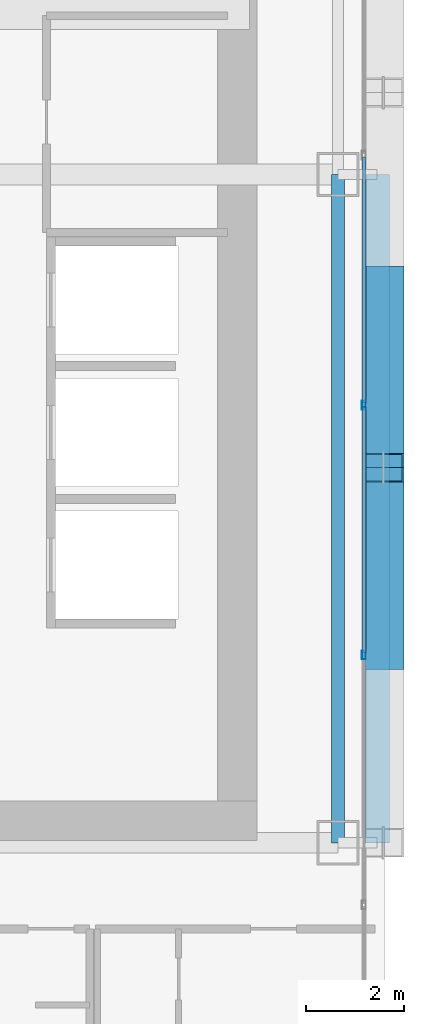
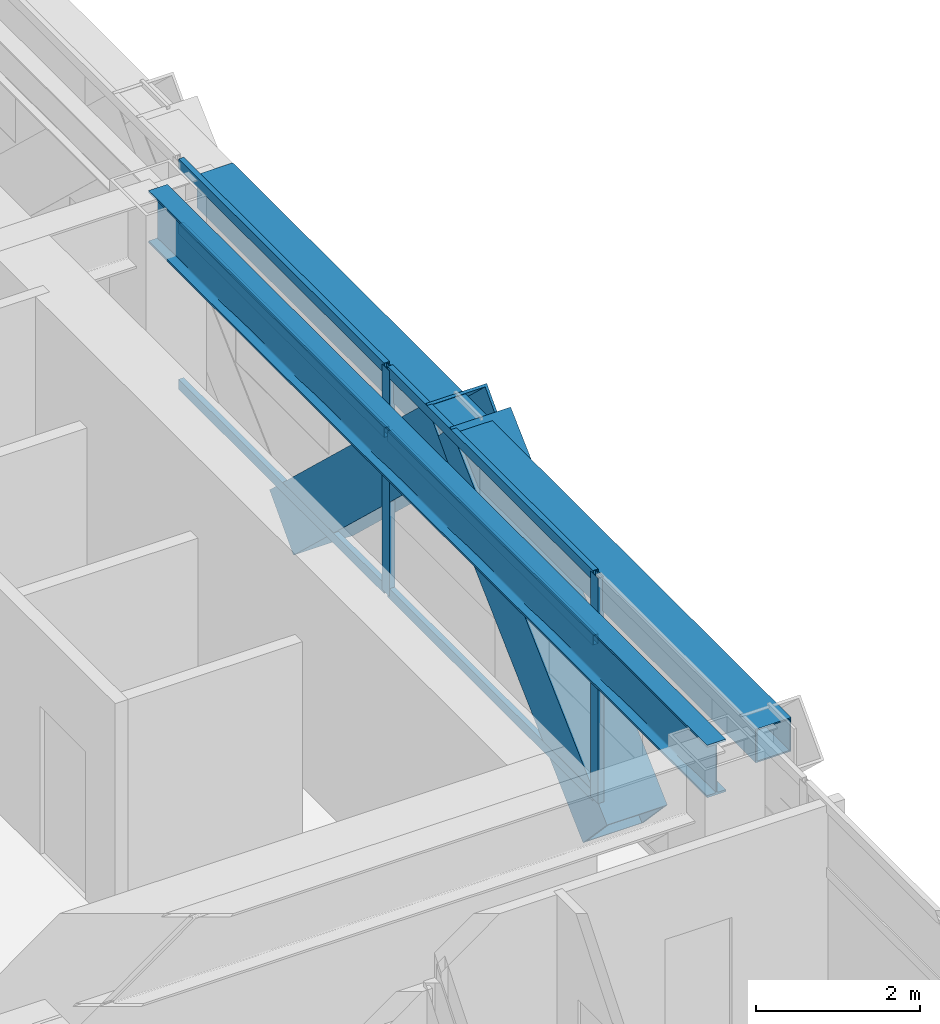
# One storey, part 16 of 41: 10 members, 2 beams, 1 element without a shape of its own.
"""IFC4 building model written with IfcOpenShell, lengths in metres."""

from ifc_helpers import new_model, si_unit, direction, frame, origin, origin_2d, place, context, subcontext, project, spatial, hollow_rectangle, i_section, extrude, source, transform, mapped, material, layer, layer_set, material_profile, profile_set, type_object, element, aggregate, save


model = new_model("IFC4")

# Units and contexts
model_context = context("Model", 3, precision=1e-05, world=origin(), true_north=direction((0.0, 1.0)))
body_context = subcontext(model_context, "Body", "Model", "MODEL_VIEW")
ifc_project = project(units=[si_unit("LENGTHUNIT", "METRE"), si_unit("AREAUNIT", "SQUARE_METRE"), si_unit("VOLUMEUNIT", "CUBIC_METRE"), si_unit("PLANEANGLEUNIT", "RADIAN"), si_unit("MASSUNIT", "GRAM", prefix="KILO")], contexts=[model_context])

# Site, building, storey
site_placement = place(None, origin())
site = spatial("IfcSite", under=ifc_project, at=site_placement, CompositionType="ELEMENT")
building_placement = place(site_placement, origin())
building = spatial("IfcBuilding", under=site, at=building_placement, Name="Ocotamira Hotel", CompositionType="ELEMENT")
storey_placement = place(building_placement, frame((0.0, 0.0, 38.39990234375)))
storey = spatial("IfcBuildingStorey", under=building, at=storey_placement, Name="L08", CompositionType="ELEMENT", Elevation=38.39990234375)

# Beams
ifc_material_1 = material(Name="Steel ASTM A992 Grade 50", Category="steel")
ifc_material_profile_1 = material_profile(ifc_material_1, i_section(OverallWidth=0.26611328125, OverallDepth=0.779052734375, WebThickness=0.0166015625, FlangeThickness=0.030029296875, FilletRadius=0.01806640625, at=origin_2d()), Name="W30X148")
ifc_profile_set_1 = profile_set([ifc_material_profile_1], Name="Steel ASTM A992 Grade 50")
beam_type_1 = type_object("IfcBeamType", Name="BM-GIRD-W30X148", PredefinedType="BEAM", material=ifc_profile_set_1)
shared_shape_1 = source(origin(), body_context, "Body", "SweptSolid", [
    extrude(i_section(OverallWidth=0.26611328125, OverallDepth=0.779052734375, WebThickness=0.0166015625, FlangeThickness=0.030029296875, FilletRadius=0.01806640625, at=origin_2d()), origin(), (0.0, 0.0, 1.0), 13.599853515625),
])
beam_1_placement = place(storey_placement, frame((55.050048828125, 14.550048828125, 2.960693359375), z_axis=(0.0, 1.0, 0.0), x_axis=(-1.0, 0.0, 0.0)))
element("IfcBeam", 1, at=beam_1_placement, inside=storey, type_object=beam_type_1, Name="L08 Beam X55.05 Y14.55-28.15", PredefinedType="BEAM", context=body_context, shape_type="MappedRepresentation", body=[
    mapped(shared_shape_1, transform((0.0, 0.0, 0.0), scale=1.0)),
])
ifc_material_2 = material(Name="Steel ASTM A500 Grade C", Category="steel")
ifc_material_profile_2 = material_profile(ifc_material_2, hollow_rectangle(XDim=0.5, YDim=0.5, WallThickness=0.02001953125, at=origin_2d()), Name="HSS500X500X20")
ifc_profile_set_2 = profile_set([ifc_material_profile_2], Name="Steel ASTM A500 Grade C")
beam_type_2 = type_object("IfcBeamType", Name="BM-SPAN-HSS500", PredefinedType="USERDEFINED", material=ifc_profile_set_2)
shared_shape_2 = source(origin(), body_context, "Body", "SweptSolid", [
    extrude(hollow_rectangle(XDim=0.5, YDim=0.5, WallThickness=0.02001953125, at=origin_2d()), origin(), (0.0, 0.0, 1.0), 13.599853515625),
])
beam_2_placement = place(storey_placement, frame((55.85009765625, 14.550048828125, 3.10009765625), z_axis=(0.0, 1.0, 0.0), x_axis=(-1.0, 0.0, 0.0)))
element("IfcBeam", 2, at=beam_2_placement, inside=storey, type_object=beam_type_2, Name="L08 Edge Spandrel E Y14.55-28.15", ObjectType="SPANDREL", PredefinedType="USERDEFINED", context=body_context, shape_type="MappedRepresentation", body=[
    mapped(shared_shape_2, transform((0.0, 0.0, 0.0), scale=1.0)),
])

# Members
ifc_material_3 = material(Name="Pale-metal coated steel ASTM A913 Grade 65", Category="steel")
ifc_material_profile_3 = material_profile(ifc_material_3, hollow_rectangle(XDim=0.85009765625, YDim=0.85009765625, WallThickness=0.035888671875, at=origin_2d()), Name="BOX850X850X36")
ifc_profile_set_3 = profile_set([ifc_material_profile_3], Name="Pale-metal coated steel ASTM A913 Grade 65")
member_type_1 = type_object("IfcMemberType", Name="MEM-EXO-BOX850", PredefinedType="BRACE", material=ifc_profile_set_3)
shared_shape_3 = source(origin(), body_context, "Body", "SweptSolid", [
    extrude(hollow_rectangle(XDim=0.85009765625, YDim=0.85009765625, WallThickness=0.035888671875, at=origin_2d()), origin(), (0.0, 0.0, 1.0), 5.24658203125),
])
for number, where, z_axis, x_axis, name in (
    (3, (55.969970703125, 18.36669921875, -0.5), (0.0, 0.727442733726, 0.686168397078), (-1.0, 0.0, 0.0), "L08 Exoskeleton Diagrid E0.2"),
    (4, (55.969970703125, 26.0, -0.5), (0.0, -0.727442733726, 0.686168397078), (1.0, 0.0, 0.0), "L08 Exoskeleton Diagrid E1.1"),
):
    element("IfcMember", number, at=place(storey_placement, frame(where, z_axis=z_axis, x_axis=x_axis)), inside=storey, type_object=member_type_1, Name=name, PredefinedType="BRACE", context=body_context, shape_type="MappedRepresentation", body=[
        mapped(shared_shape_3, transform((0.0, 0.0, 0.0), scale=1.0)),
    ])

# Curtain wall, members
ifc_material_4 = material(Name="Anodised pale-metal aluminium and solar glass", Category="aluminium")
ifc_layer = layer(ifc_material_4, 0.179931640625)
ifc_layer_set = layer_set([ifc_layer], Name="Anodised pale-metal aluminium and solar glass")
curtain_wall_type = type_object("IfcCurtainWallType", Name="CW-SYS2-Z1", PredefinedType="NOTDEFINED", material=ifc_layer_set)
curtain_wall_placement = place(storey_placement, origin())
curtain_wall = element("IfcCurtainWall", 5, at=curtain_wall_placement, inside=storey, type_object=curtain_wall_type, Name="L08 Curtain Wall CW-2 CW-L08-E", PredefinedType="NOTDEFINED")
ifc_material_5 = material(Name="Anodised pale-metal aluminium 6063-T6", Category="aluminium")
ifc_material_profile_4 = material_profile(ifc_material_5, hollow_rectangle(XDim=0.074951171875, YDim=0.14990234375, WallThickness=0.006103515625, at=origin_2d()), Name="HSS150X75X6")
ifc_profile_set_4 = profile_set([ifc_material_profile_4], Name="Anodised pale-metal aluminium 6063-T6")
member_type_2 = type_object("IfcMemberType", Name="CWT-150X75", PredefinedType="USERDEFINED", material=ifc_profile_set_4)
shared_shape_4 = source(origin(), body_context, "Body", "SweptSolid", [
    extrude(hollow_rectangle(XDim=0.074951171875, YDim=0.14990234375, WallThickness=0.006103515625, at=origin_2d()), origin(), (0.0, 0.0, 1.0), 5.005859375),
])
member_1_placement = place(storey_placement, frame((55.580078125, 18.411376953125, 0.03759765625), z_axis=(0.0, 1.0, 0.0), x_axis=(-1.0, 0.0, 0.0)))
member_1 = element("IfcMember", 6, at=member_1_placement, type_object=member_type_2, Name="CW-2 transom 3.1", ObjectType="TRANSOM", PredefinedType="USERDEFINED", context=body_context, shape_type="MappedRepresentation", body=[
    mapped(shared_shape_4, transform((0.0, 0.0, 0.0), scale=1.0)),
])
member_2_placement = place(storey_placement, frame((55.580078125, 18.411376953125, 2.35009765625), z_axis=(0.0, 1.0, 0.0), x_axis=(-1.0, 0.0, 0.0)))
member_2 = element("IfcMember", 7, at=member_2_placement, type_object=member_type_2, Name="CW-2 transom 3.2", ObjectType="TRANSOM", PredefinedType="USERDEFINED", context=body_context, shape_type="MappedRepresentation", body=[
    mapped(shared_shape_4, transform((0.0, 0.0, 0.0), scale=1.0)),
])
member_3_placement = place(storey_placement, frame((55.580078125, 18.411376953125, 3.3125), z_axis=(0.0, 1.0, 0.0), x_axis=(-1.0, 0.0, 0.0)))
member_3 = element("IfcMember", 8, at=member_3_placement, type_object=member_type_2, Name="CW-2 transom 3.3", ObjectType="TRANSOM", PredefinedType="USERDEFINED", context=body_context, shape_type="MappedRepresentation", body=[
    mapped(shared_shape_4, transform((0.0, 0.0, 0.0), scale=1.0)),
])
member_4_placement = place(storey_placement, frame((55.580078125, 23.4970703125, 0.03759765625), z_axis=(0.0, 1.0, 0.0), x_axis=(-1.0, 0.0, 0.0)))
member_4 = element("IfcMember", 9, at=member_4_placement, type_object=member_type_2, Name="CW-2 transom 4.1", ObjectType="TRANSOM", PredefinedType="USERDEFINED", context=body_context, shape_type="MappedRepresentation", body=[
    mapped(shared_shape_4, transform((0.0, 0.0, 0.0), scale=1.0)),
])
member_5_placement = place(storey_placement, frame((55.580078125, 23.4970703125, 2.35009765625), z_axis=(0.0, 1.0, 0.0), x_axis=(-1.0, 0.0, 0.0)))
member_5 = element("IfcMember", 10, at=member_5_placement, type_object=member_type_2, Name="CW-2 transom 4.2", ObjectType="TRANSOM", PredefinedType="USERDEFINED", context=body_context, shape_type="MappedRepresentation", body=[
    mapped(shared_shape_4, transform((0.0, 0.0, 0.0), scale=1.0)),
])
member_6_placement = place(storey_placement, frame((55.580078125, 23.4970703125, 3.3125), z_axis=(0.0, 1.0, 0.0), x_axis=(-1.0, 0.0, 0.0)))
member_6 = element("IfcMember", 11, at=member_6_placement, type_object=member_type_2, Name="CW-2 transom 4.3", ObjectType="TRANSOM", PredefinedType="USERDEFINED", context=body_context, shape_type="MappedRepresentation", body=[
    mapped(shared_shape_4, transform((0.0, 0.0, 0.0), scale=1.0)),
])
ifc_material_profile_5 = material_profile(ifc_material_5, hollow_rectangle(XDim=0.080078125, YDim=0.179931640625, WallThickness=0.006103515625, at=origin_2d()), Name="HSS180X80X6")
ifc_profile_set_5 = profile_set([ifc_material_profile_5], Name="Anodised pale-metal aluminium 6063-T6")
member_type_3 = type_object("IfcMemberType", Name="CWM-180X75", PredefinedType="MULLION", material=ifc_profile_set_5)
shared_shape_5 = source(origin(), body_context, "Body", "SweptSolid", [
    extrude(hollow_rectangle(XDim=0.080078125, YDim=0.179931640625, WallThickness=0.006103515625, at=origin_2d()), origin(), (0.0, 0.0, 1.0), 3.35009765625),
])
member_7_placement = place(storey_placement, frame((55.580078125, 18.371337890625, 0.0), z_axis=(0.0, 0.0, 1.0), x_axis=(-1.0, 0.0, 0.0)))
member_7 = element("IfcMember", 12, at=member_7_placement, type_object=member_type_3, Name="CW-2 mullion 3", PredefinedType="MULLION", context=body_context, shape_type="MappedRepresentation", body=[
    mapped(shared_shape_5, transform((0.0, 0.0, 0.0), scale=1.0)),
])
member_8_placement = place(storey_placement, frame((55.580078125, 23.45703125, 0.0), z_axis=(0.0, 0.0, 1.0), x_axis=(-1.0, 0.0, 0.0)))
member_8 = element("IfcMember", 13, at=member_8_placement, type_object=member_type_3, Name="CW-2 mullion 4", PredefinedType="MULLION", context=body_context, shape_type="MappedRepresentation", body=[
    mapped(shared_shape_5, transform((0.0, 0.0, 0.0), scale=1.0)),
])
aggregate(curtain_wall, [member_7, member_8, member_1, member_2, member_3, member_4, member_5, member_6])

save(model, "model.ifc")
